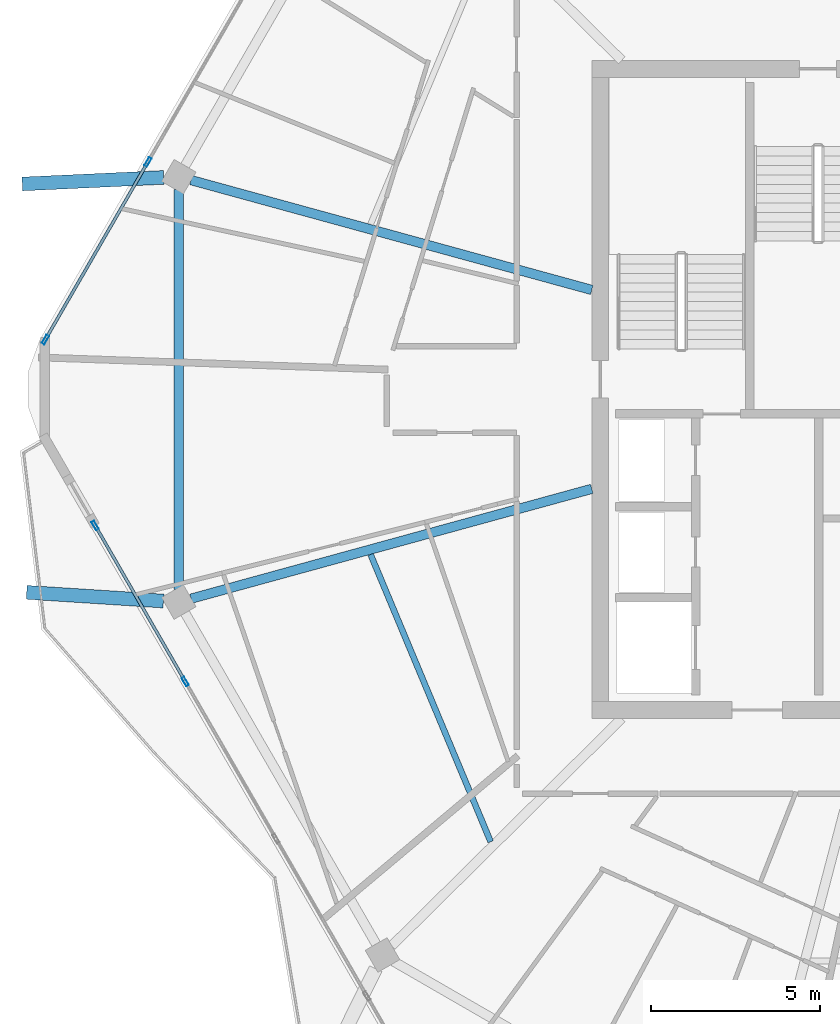
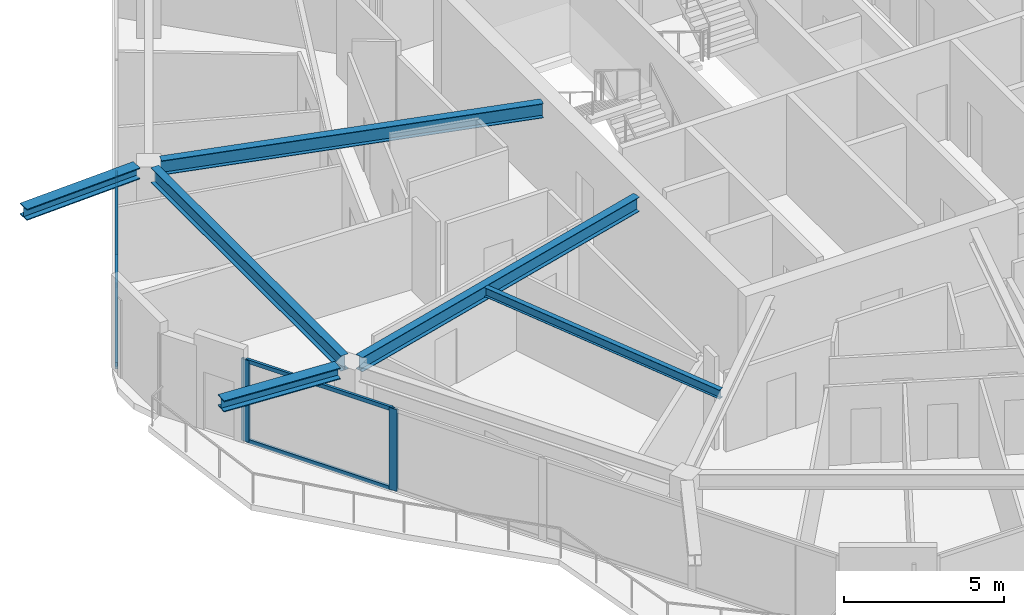
# One storey, part 4 of 18: 8 members, 6 beams, 2 elements without a shape of their own.
"""IFC4 building model written with IfcOpenShell, lengths in metres."""

import ifcopenshell
import ifcopenshell.guid

model = None  # the IFC model being written
_history = None  # IfcOwnerHistory: only IFC2X3 demands one
_inside = {}  # id of a spatial element -> (the spatial element, [elements in it])
_under = {}  # id of a project, library or spatial element -> (it, [spatial elements below it])
_declared = {}  # id of a project -> (the project, [libraries it declares])
_typed = {}  # id of a type object -> (the type object, [elements of that type])
_made_of = {}  # id of a material, layer set ... -> (it, [elements and type objects made of it])


def new_model(schema):
    """Start an empty IFC model of exactly this schema.

    Asked for "IFC4X3", IfcOpenShell would pick the latest addendum, in which some entities
    have other attributes; the version numbers below select the first issue.
    IFC2X3 requires an IfcOwnerHistory on every rooted entity: one is made here for all.
    """
    global model, _history
    if schema == "IFC4X3":
        model = ifcopenshell.file(schema_version=(4, 3, 0, 0))
    else:
        model = ifcopenshell.file(schema=schema)
    _inside.clear()
    _under.clear()
    _declared.clear()
    _typed.clear()
    _made_of.clear()
    _history = None
    if model.schema == "IFC2X3":
        org = make("IfcOrganization", Name="unknown")
        user = make(
            "IfcPersonAndOrganization",
            ThePerson=make("IfcPerson", FamilyName="unknown"),
            TheOrganization=org,
        )
        app = make(
            "IfcApplication",
            ApplicationDeveloper=org,
            Version="unknown",
            ApplicationFullName="unknown",
            ApplicationIdentifier="unknown",
        )
        _history = make(
            "IfcOwnerHistory",
            OwningUser=user,
            OwningApplication=app,
            ChangeAction="ADDED",
            CreationDate=0,
        )
    return model


def make(cls, **values):
    """One entity of the class cls with the attributes given. An attribute that is None is left unset."""
    return model.create_entity(
        cls, **{name: value for name, value in values.items() if value is not None}
    )


def rooted(cls, **values):
    """An entity with a GlobalId (a new one), such as an element, a storey or a relation."""
    return make(cls, GlobalId=ifcopenshell.guid.new(), OwnerHistory=_history, **values)


def si_unit(unit_type, name, prefix=None):
    """IfcSIUnit, for example si_unit("LENGTHUNIT", "METRE", prefix="MILLI")."""
    return make("IfcSIUnit", UnitType=unit_type, Prefix=prefix, Name=name)


def assignment(units):
    """IfcUnitAssignment: the units of a project."""
    return None if units is None else make("IfcUnitAssignment", Units=units)


def point(xyz):
    """IfcCartesianPoint."""
    return None if xyz is None else make("IfcCartesianPoint", Coordinates=xyz)


def direction(xyz):
    """IfcDirection."""
    return None if xyz is None else make("IfcDirection", DirectionRatios=xyz)


def frame(location, z_axis=None, x_axis=None):
    """IfcAxis2Placement3D, a coordinate frame: its origin and axes. An axis left out is left unset."""
    return make(
        "IfcAxis2Placement3D",
        Location=point(location),
        Axis=direction(z_axis),
        RefDirection=direction(x_axis),
    )


def frame_2d(location, x_axis=None):
    """IfcAxis2Placement2D, a coordinate frame in the plane: its origin and x axis."""
    return make(
        "IfcAxis2Placement2D", Location=point(location), RefDirection=direction(x_axis)
    )


def origin():
    """The frame at (0, 0, 0) with its axes left unset."""
    return frame((0.0, 0.0, 0.0))


def origin_2d():
    """The frame at (0, 0) in the plane with its x axis left unset."""
    return frame_2d((0.0, 0.0))


def place(relative_to, where):
    """IfcLocalPlacement: puts the frame where relative to a parent placement (None: the world)."""
    return make(
        "IfcLocalPlacement", PlacementRelTo=relative_to, RelativePlacement=where
    )


def context(
    kind, dimensions, precision=None, world=None, true_north=None, identifier=None
):
    """IfcGeometricRepresentationContext, for example the 3D "Model" context."""
    return make(
        "IfcGeometricRepresentationContext",
        ContextIdentifier=identifier,
        ContextType=kind,
        CoordinateSpaceDimension=dimensions,
        Precision=precision,
        WorldCoordinateSystem=world,
        TrueNorth=true_north,
    )


def subcontext(parent, identifier, kind, view, scale=None):
    """IfcGeometricRepresentationSubContext, for example "Body" below "Model"."""
    return make(
        "IfcGeometricRepresentationSubContext",
        ContextIdentifier=identifier,
        ContextType=kind,
        ParentContext=parent,
        TargetScale=scale,
        TargetView=view,
    )


def project(units=None, contexts=None):
    """IfcProject with its units and contexts."""
    return rooted(
        "IfcProject",
        Name="project",
        RepresentationContexts=contexts,
        UnitsInContext=assignment(units),
    )


def spatial(cls, under=None, at=None, **own):
    """A site, building, storey or space (cls), placed at a placement, below another one or the project."""
    s = rooted(cls, ObjectPlacement=at, **own)
    if under is not None:
        _under.setdefault(under.id(), (under, []))[1].append(s)
    return s


def profile(cls, at=None, kind="AREA", **sizes):
    """A parametric profile (cls). Its sizes go by their IFC names, for example OverallWidth=200.0."""
    return make(cls, ProfileType=kind, Position=at, **sizes)


def hollow_rectangle(**sizes):
    """IfcRectangleHollowProfileDef."""
    return profile("IfcRectangleHollowProfileDef", **sizes)


def i_section(**sizes):
    """IfcIShapeProfileDef."""
    return profile("IfcIShapeProfileDef", **sizes)


def extrude(swept, where, along, depth):
    """IfcExtrudedAreaSolid: the profile swept, set in the frame where, extruded along a direction by depth."""
    return make(
        "IfcExtrudedAreaSolid",
        SweptArea=swept,
        Position=where,
        ExtrudedDirection=direction(along),
        Depth=depth,
    )


def shape(context_of_items, identifier, shape_type, items):
    """IfcShapeRepresentation: the items that make up one representation, for example the "Body"."""
    return make(
        "IfcShapeRepresentation",
        ContextOfItems=context_of_items,
        RepresentationIdentifier=identifier,
        RepresentationType=shape_type,
        Items=items,
    )


def material(Name=None, Category=None):
    """IfcMaterial."""
    return make("IfcMaterial", Name=Name, Category=Category)


def material_profile(
    of_material, cross_section, Name=None, Category=None, Priority=None
):
    """IfcMaterialProfile: a cross section and its material."""
    return make(
        "IfcMaterialProfile",
        Name=Name,
        Material=of_material,
        Profile=cross_section,
        Priority=Priority,
        Category=Category,
    )


def profile_set(profiles, Name=None, composite=None):
    """IfcMaterialProfileSet."""
    return make(
        "IfcMaterialProfileSet",
        Name=Name,
        MaterialProfiles=profiles,
        CompositeProfile=composite,
    )


def made_of(thing, what):
    """Note that an element or type object is made of a material, layer set ...; save() writes the relation."""
    if what is not None:
        _made_of.setdefault(what.id(), (what, []))[1].append(thing)
    return thing


def type_object(cls, material=None, **own):
    """A type object (cls), such as IfcWallType, which elements share."""
    return made_of(rooted(cls, **own), material)


def element(
    cls,
    number,
    at=None,
    inside=None,
    cuts=None,
    type_object=None,
    material=None,
    context=None,
    identifier="Body",
    shape_type=None,
    held_by="IfcProductDefinitionShape",
    body=None,
    shapes=None,
    **own,
):
    """One element of the class cls, such as IfcWall. Its Tag is "e" and its number.

    at: its placement. inside: the storey or other place that contains it. cuts: it is an
    opening in that element (IfcRelVoidsElement). A single representation is given by context,
    identifier, shape_type and body (its items); several are given by shapes. held_by: the class
    of the entity that holds the representations. save() writes the other relations.
    """
    e = rooted(cls, Tag="e%d" % number, ObjectPlacement=at, **own)
    if body is not None:
        shapes = [shape(context, identifier, shape_type, body)]
    if shapes is not None:
        e.Representation = make(held_by, Representations=shapes)
    if inside is not None:
        _inside.setdefault(inside.id(), (inside, []))[1].append(e)
    if cuts is not None:
        rooted(
            "IfcRelVoidsElement", RelatingBuildingElement=cuts, RelatedOpeningElement=e
        )
    if type_object is not None:
        _typed.setdefault(type_object.id(), (type_object, []))[1].append(e)
    return made_of(e, material)


def aggregate(whole, parts):
    """IfcRelAggregates: a whole, such as a stair, and the parts it consists of."""
    return rooted("IfcRelAggregates", RelatingObject=whole, RelatedObjects=parts)


def save(model, path):
    """Write the relations noted so far, then the file.

    IfcRelAggregates (storeys below a building ...), IfcRelContainedInSpatialStructure (elements
    in a storey), IfcRelDefinesByType, IfcRelAssociatesMaterial and IfcRelDeclares: one each for
    every whole, place, type object, material and project.
    """
    for whole, parts in _under.values():
        aggregate(whole, parts)
    for where, things in _inside.values():
        rooted(
            "IfcRelContainedInSpatialStructure",
            RelatedElements=things,
            RelatingStructure=where,
        )
    for kind, things in _typed.values():
        rooted("IfcRelDefinesByType", RelatedObjects=things, RelatingType=kind)
    for what, things in _made_of.values():
        rooted("IfcRelAssociatesMaterial", RelatedObjects=things, RelatingMaterial=what)
    for by, libraries in _declared.values():
        rooted("IfcRelDeclares", RelatingContext=by, RelatedDefinitions=libraries)
    model.write(path)


model = new_model("IFC4")

# Units and contexts
model_context = context("Model", 3, precision=1e-05, world=origin(), true_north=direction((0.0, 1.0)))
body_context = subcontext(model_context, "Body", "Model", "MODEL_VIEW")
ifc_project = project(units=[si_unit("LENGTHUNIT", "METRE"), si_unit("AREAUNIT", "SQUARE_METRE"), si_unit("VOLUMEUNIT", "CUBIC_METRE"), si_unit("PLANEANGLEUNIT", "RADIAN"), si_unit("MASSUNIT", "GRAM", prefix="KILO")], contexts=[model_context])

# Site, building, storey
site_placement = place(None, origin())
site = spatial("IfcSite", under=ifc_project, at=site_placement, CompositionType="ELEMENT")
building_placement = place(site_placement, origin())
building = spatial("IfcBuilding", under=site, at=building_placement, Name="Zuhravey Tower", CompositionType="ELEMENT")
storey_placement = place(building_placement, frame((0.0, 0.0, 342.39990234375)))
storey = spatial("IfcBuildingStorey", under=building, at=storey_placement, Name="L87", CompositionType="ELEMENT", Elevation=342.39990234375)

# Curtain wall, members
ifc_material_1 = material(Name="Thermally broken anodised aluminium", Category="aluminium")
curtain_wall_type = type_object("IfcCurtainWallType", Name="Zone 3-4 High-Rise Curtain Wall CW4", PredefinedType="NOTDEFINED", material=ifc_material_1)
curtain_wall_1_placement = place(storey_placement, origin())
curtain_wall_1 = element("IfcCurtainWall", 1, at=curtain_wall_1_placement, inside=storey, type_object=curtain_wall_type, Name="L87 CW4 CW-L87-F4-1", PredefinedType="NOTDEFINED")
ifc_material_2 = material(Name="Anodised aluminium", Category="aluminium")
ifc_material_profile_1 = material_profile(ifc_material_2, hollow_rectangle(XDim=0.090087890625, YDim=0.284912109375, WallThickness=0.0048828125, at=origin_2d()), Name="ALU-RHS-90x285x5")
ifc_profile_set_1 = profile_set([ifc_material_profile_1], Name="Anodised aluminium")
member_type_1 = type_object("IfcMemberType", Name="Curtain-Wall Mullion 90x180", PredefinedType="MULLION", material=ifc_profile_set_1)
member_1_placement = place(storey_placement, frame((13.199462890625, 23.343505859375, 0.0), z_axis=(0.0, 0.0, 1.0), x_axis=(-0.866025896421, -0.499999146728, 0.0)))
member_1 = element("IfcMember", 2, at=member_1_placement, type_object=member_type_1, Name="CW4 mullion 4", PredefinedType="MULLION", context=body_context, shape_type="SweptSolid", body=[
    extrude(hollow_rectangle(XDim=0.090087890625, YDim=0.284912109375, WallThickness=0.0048828125, at=origin_2d()), origin(), (0.0, 0.0, 1.0), 3.1220703125),
])
member_2_placement = place(storey_placement, frame((10.531494140625, 27.964599609375, 0.0), z_axis=(0.0, 0.0, 1.0), x_axis=(-0.866025896421, -0.499999146728, 0.0)))
member_2 = element("IfcMember", 3, at=member_2_placement, type_object=member_type_1, Name="CW4 mullion 5", PredefinedType="MULLION", context=body_context, shape_type="SweptSolid", body=[
    extrude(hollow_rectangle(XDim=0.090087890625, YDim=0.284912109375, WallThickness=0.0048828125, at=origin_2d()), origin(), (0.0, 0.0, 1.0), 3.1220703125),
])

curtain_wall_2_placement = place(storey_placement, origin())
curtain_wall_2 = element("IfcCurtainWall", 4, at=curtain_wall_2_placement, inside=storey, type_object=curtain_wall_type, Name="L87 CW4 CW-L87-F3-1", PredefinedType="NOTDEFINED")
member_3_placement = place(storey_placement, frame((9.05419921875, 33.4765625, 0.0), z_axis=(0.0, 0.0, 1.0), x_axis=(-0.866025511541, 0.49999981336, 0.0)))
member_3 = element("IfcMember", 5, at=member_3_placement, type_object=member_type_1, Name="CW4 mullion 1", PredefinedType="MULLION", context=body_context, shape_type="SweptSolid", body=[
    extrude(hollow_rectangle(XDim=0.090087890625, YDim=0.284912109375, WallThickness=0.0048828125, at=origin_2d()), origin(), (0.0, 0.0, 1.0), 3.1220703125),
])
member_4_placement = place(storey_placement, frame((12.09130859375, 38.7373046875, 0.0), z_axis=(0.0, 0.0, 1.0), x_axis=(-0.866025511541, 0.49999981336, 0.0)))
member_4 = element("IfcMember", 6, at=member_4_placement, type_object=member_type_1, Name="CW4 mullion 2", PredefinedType="MULLION", context=body_context, shape_type="SweptSolid", body=[
    extrude(hollow_rectangle(XDim=0.090087890625, YDim=0.284912109375, WallThickness=0.0048828125, at=origin_2d()), origin(), (0.0, 0.0, 1.0), 3.1220703125),
])

# Member
ifc_material_profile_2 = material_profile(ifc_material_2, hollow_rectangle(XDim=0.090087890625, YDim=0.14990234375, WallThickness=0.0048828125, at=origin_2d()), Name="ALU-RHS-90x150x5")
ifc_profile_set_2 = profile_set([ifc_material_profile_2], Name="Anodised aluminium")
member_type_2 = type_object("IfcMemberType", Name="Curtain-Wall Transom 90x150", PredefinedType="USERDEFINED", material=ifc_profile_set_2)
member_5_placement = place(storey_placement, frame((13.177001953125, 23.382568359375, 0.045166015625), z_axis=(-0.500023253097, 0.866011978186, 0.0), x_axis=(-0.866011978186, -0.500023253097, 0.0)))
member_5 = element("IfcMember", 7, at=member_5_placement, type_object=member_type_2, Name="CW4 transom 4.1", ObjectType="TRANSOM", PredefinedType="USERDEFINED", context=body_context, shape_type="SweptSolid", body=[
    extrude(hollow_rectangle(XDim=0.090087890625, YDim=0.14990234375, WallThickness=0.0048828125, at=origin_2d()), origin(), (0.0, 0.0, 1.0), 5.245849609375),
])

member_6_placement = place(storey_placement, frame((13.177001953125, 23.382568359375, 3.0771484375), z_axis=(-0.500023253097, 0.866011978186, 0.0), x_axis=(-0.866011978186, -0.500023253097, 0.0)))
member_6 = element("IfcMember", 8, at=member_6_placement, type_object=member_type_2, Name="CW4 transom 4.2", ObjectType="TRANSOM", PredefinedType="USERDEFINED", context=body_context, shape_type="SweptSolid", body=[
    extrude(hollow_rectangle(XDim=0.090087890625, YDim=0.14990234375, WallThickness=0.0048828125, at=origin_2d()), origin(), (0.0, 0.0, 1.0), 5.245849609375),
])

aggregate(curtain_wall_1, [member_1, member_2, member_5, member_6])

member_7_placement = place(storey_placement, frame((9.07666015625, 33.515380859375, 0.045166015625), z_axis=(0.499982594807, 0.866035452444, 0.0), x_axis=(-0.866035452444, 0.499982594807, 0.0)))
member_7 = element("IfcMember", 9, at=member_7_placement, type_object=member_type_2, Name="CW4 transom 1.1", ObjectType="TRANSOM", PredefinedType="USERDEFINED", context=body_context, shape_type="SweptSolid", body=[
    extrude(hollow_rectangle(XDim=0.090087890625, YDim=0.14990234375, WallThickness=0.0048828125, at=origin_2d()), origin(), (0.0, 0.0, 1.0), 5.984619140625),
])

member_8_placement = place(storey_placement, frame((9.07666015625, 33.515380859375, 3.0771484375), z_axis=(0.499982594807, 0.866035452444, 0.0), x_axis=(-0.866035452444, 0.499982594807, 0.0)))
member_8 = element("IfcMember", 10, at=member_8_placement, type_object=member_type_2, Name="CW4 transom 1.2", ObjectType="TRANSOM", PredefinedType="USERDEFINED", context=body_context, shape_type="SweptSolid", body=[
    extrude(hollow_rectangle(XDim=0.090087890625, YDim=0.14990234375, WallThickness=0.0048828125, at=origin_2d()), origin(), (0.0, 0.0, 1.0), 5.984619140625),
])

aggregate(curtain_wall_2, [member_3, member_4, member_7, member_8])

# Beams
ifc_material_3 = material(Name="Steel SM460", Category="steel")
ifc_material_profile_3 = material_profile(ifc_material_3, i_section(OverallWidth=0.406982421875, OverallDepth=0.427978515625, WebThickness=0.02001953125, FlangeThickness=0.034912109375, at=origin_2d()), Name="H-428x407x20x35")
ifc_profile_set_3 = profile_set([ifc_material_profile_3], Name="Steel SM460")
beam_type_1 = type_object("IfcBeamType", Name="Exoskeleton Node Tie Beam H428x407", PredefinedType="BEAM", material=ifc_profile_set_3)
beam_1_placement = place(storey_placement, frame((12.557861328125, 38.28173828125, 3.336181640625), z_axis=(-0.99893780651, -0.046078831639, 0.0), x_axis=(0.046078831639, -0.99893780651, 0.0)))
element("IfcBeam", 11, at=beam_1_placement, inside=storey, type_object=beam_type_1, Name="L87 Exoskeleton Node Tie NT1-06", PredefinedType="BEAM", context=body_context, shape_type="SweptSolid", body=[
    extrude(i_section(OverallWidth=0.406982421875, OverallDepth=0.427978515625, WebThickness=0.02001953125, FlangeThickness=0.034912109375, at=origin_2d()), origin(), (0.0, 0.0, 1.0), 4.19091796875),
])
beam_2_placement = place(storey_placement, frame((12.552978515625, 25.7265625, 3.336181640625), z_axis=(-0.997954987894, 0.06392059244, 0.0), x_axis=(-0.06392059244, -0.997954987894, 0.0)))
element("IfcBeam", 12, at=beam_2_placement, inside=storey, type_object=beam_type_1, Name="L87 Exoskeleton Node Tie NT1-07", PredefinedType="BEAM", context=body_context, shape_type="SweptSolid", body=[
    extrude(i_section(OverallWidth=0.406982421875, OverallDepth=0.427978515625, WebThickness=0.02001953125, FlangeThickness=0.034912109375, at=origin_2d()), origin(), (0.0, 0.0, 1.0), 4.06005859375),
])
ifc_material_4 = material(Name="Steel SM355", Category="steel")
ifc_material_profile_4 = material_profile(ifc_material_4, i_section(OverallWidth=0.280029296875, OverallDepth=0.580078125, WebThickness=0.011962890625, FlangeThickness=0.01904296875, at=origin_2d()), Name="H-580x280x12x19")
ifc_profile_set_4 = profile_set([ifc_material_profile_4], Name="Steel SM355")
beam_type_2 = type_object("IfcBeamType", Name="Perimeter Ring Beam H580x280", PredefinedType="BEAM", material=ifc_profile_set_4)
beam_3_placement = place(storey_placement, frame((13.006591796875, 37.92431640625, 3.260009765625), z_axis=(0.0, -1.0, 0.0), x_axis=(1.0, 0.0, 0.0)))
element("IfcBeam", 13, at=beam_3_placement, inside=storey, type_object=beam_type_2, Name="L87 PB4 BM-L87-PB-06", PredefinedType="BEAM", context=body_context, shape_type="SweptSolid", body=[
    extrude(i_section(OverallWidth=0.280029296875, OverallDepth=0.580078125, WebThickness=0.011962890625, FlangeThickness=0.01904296875, at=origin_2d()), origin(), (0.0, 0.0, 1.0), 11.8486328125),
])
ifc_material_profile_5 = material_profile(ifc_material_4, i_section(OverallWidth=0.280029296875, OverallDepth=0.550048828125, WebThickness=0.010986328125, FlangeThickness=0.01806640625, at=origin_2d()), Name="H-550x280x11x18")
ifc_profile_set_5 = profile_set([ifc_material_profile_5], Name="Steel SM355")
beam_type_3 = type_object("IfcBeamType", Name="Radial Primary Girder H550x280", PredefinedType="BEAM", material=ifc_profile_set_5)
for number, where, z_axis, x_axis, name in (
    (14, (25.2470703125, 34.947265625, 3.275146484375), (-0.964428588077, 0.264343523658, 0.0), (-0.264343523658, -0.964428588077, 0.0), "L87 RG4 BM-L87-RAD-06"),
    (15, (25.2470703125, 29.052734375, 3.275146484375), (-0.964428588077, -0.264343523658, 0.0), (0.264343523658, -0.964428588077, 0.0), "L87 RG4 BM-L87-RAD-07"),
):
    element("IfcBeam", number, at=place(storey_placement, frame(where, z_axis=z_axis, x_axis=x_axis)), inside=storey, type_object=beam_type_3, Name=name, PredefinedType="BEAM", context=body_context, shape_type="SweptSolid", body=[
        extrude(i_section(OverallWidth=0.280029296875, OverallDepth=0.550048828125, WebThickness=0.010986328125, FlangeThickness=0.01806640625, at=origin_2d()), origin(), (0.0, 0.0, 1.0), 12.31396484375),
    ])
ifc_material_profile_6 = material_profile(ifc_material_4, i_section(OverallWidth=0.175048828125, OverallDepth=0.35009765625, WebThickness=0.007080078125, FlangeThickness=0.010986328125, at=origin_2d()), Name="H-350x175x7x11")
ifc_profile_set_6 = profile_set([ifc_material_profile_6], Name="Steel SM355")
beam_type_4 = type_object("IfcBeamType", Name="Secondary Floor Joist H350x175", PredefinedType="JOIST", material=ifc_profile_set_6)
beam_4_placement = place(storey_placement, frame((18.692626953125, 27.108154296875, 3.375), z_axis=(0.385657891576, -0.922641853953, 0.0), x_axis=(0.922641853953, 0.385657891576, 0.0)))
element("IfcBeam", 16, at=beam_4_placement, inside=storey, type_object=beam_type_4, Name="L87 SJ3 BM-L87-SJ-07-1", PredefinedType="JOIST", context=body_context, shape_type="SweptSolid", body=[
    extrude(i_section(OverallWidth=0.175048828125, OverallDepth=0.35009765625, WebThickness=0.007080078125, FlangeThickness=0.010986328125, at=origin_2d()), origin(), (0.0, 0.0, 1.0), 9.226806640625),
])

save(model, "model.ifc")
